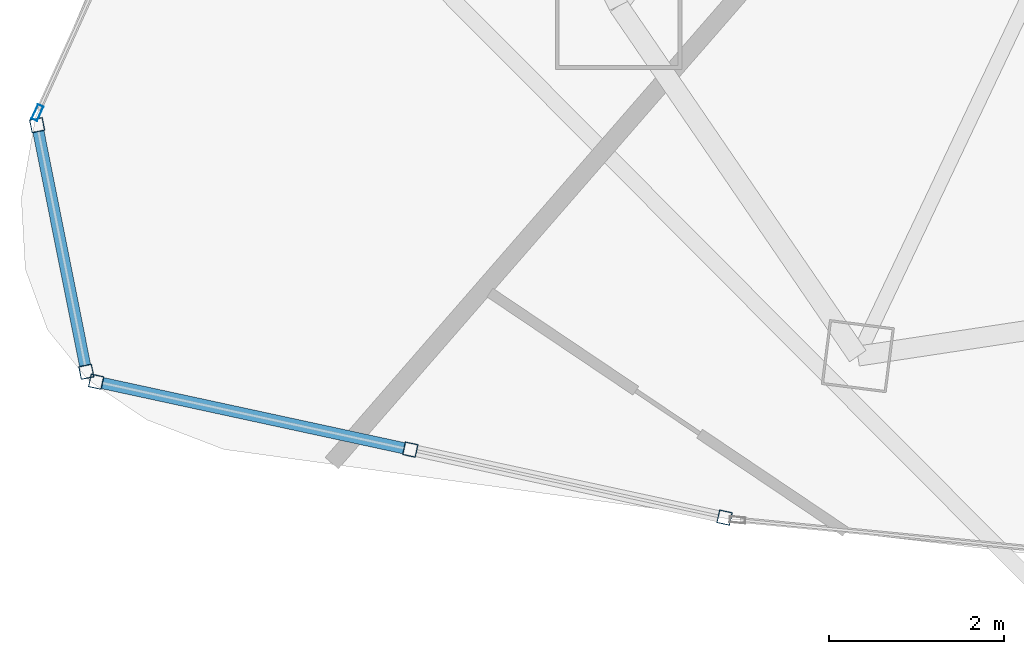
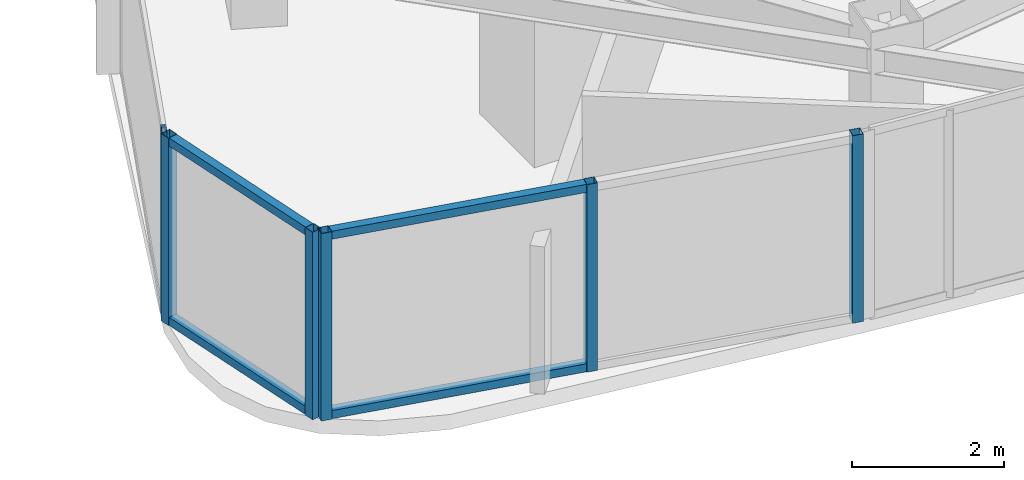
# One storey, part 2 of 30: 10 members, 3 elements without a shape of their own.
"""IFC4 building model written with IfcOpenShell, lengths in metres."""

from ifc_helpers import new_model, si_unit, direction, frame, origin, origin_2d, place, context, subcontext, project, spatial, hollow_rectangle, extrude, material, layer, layer_set, material_profile, profile_set, type_object, element, aggregate, save


model = new_model("IFC4")

# Units and contexts
model_context = context("Model", 3, precision=1e-05, world=origin(), true_north=direction((0.0, 1.0)))
body_context = subcontext(model_context, "Body", "Model", "MODEL_VIEW")
ifc_project = project(units=[si_unit("LENGTHUNIT", "METRE"), si_unit("AREAUNIT", "SQUARE_METRE"), si_unit("VOLUMEUNIT", "CUBIC_METRE"), si_unit("PLANEANGLEUNIT", "RADIAN"), si_unit("MASSUNIT", "GRAM", prefix="KILO")], contexts=[model_context])

# Site, building, storey
site_placement = place(None, origin())
site = spatial("IfcSite", under=ifc_project, at=site_placement, CompositionType="ELEMENT")
building_placement = place(site_placement, origin())
building = spatial("IfcBuilding", under=site, at=building_placement, Name="Orvanel Arch Residences", CompositionType="ELEMENT")
storey_placement = place(building_placement, frame((0.0, 0.0, 143.0)))
storey = spatial("IfcBuildingStorey", under=building, at=storey_placement, Name="L40", CompositionType="ELEMENT", Elevation=143.0)

# Curtain wall, members
ifc_material = material(Name="Bronze-anodised aluminium AA6063-T6", Category="aluminium")
ifc_layer_1 = layer(ifc_material, 0.18994140625)
ifc_layer_set_1 = layer_set([ifc_layer_1], Name="Bronze-anodised aluminium AA6063-T6")
curtain_wall_type_1 = type_object("IfcCurtainWallType", Name="CW5-CRN-SYS", PredefinedType="NOTDEFINED", material=ifc_layer_set_1)
curtain_wall_1_placement = place(storey_placement, origin())
curtain_wall_1 = element("IfcCurtainWall", 1, at=curtain_wall_1_placement, inside=storey, type_object=curtain_wall_type_1, Name="L40 CW5-CRN-SYS Unitised Curtain Wall", PredefinedType="NOTDEFINED")
ifc_material_profile_1 = material_profile(ifc_material, hollow_rectangle(XDim=0.14990234375, YDim=0.14990234375, WallThickness=0.0048828125, at=origin_2d()), Name="ALU150x150x5")
ifc_profile_set_1 = profile_set([ifc_material_profile_1], Name="Bronze-anodised aluminium AA6063-T6")
member_type_1 = type_object("IfcMemberType", Name="MUL-150x150", PredefinedType="MULLION", material=ifc_profile_set_1)
member_1_placement = place(storey_placement, frame((7.53759765625, 8.9853515625, 0.0), z_axis=(0.0, 0.0, 1.0), x_axis=(0.980682040612, 0.195608627675, 0.0)))
member_1 = element("IfcMember", 2, at=member_1_placement, type_object=member_type_1, Name="CW-S5 mullion 1", PredefinedType="MULLION", context=body_context, shape_type="SweptSolid", body=[
    extrude(hollow_rectangle(XDim=0.14990234375, YDim=0.14990234375, WallThickness=0.0048828125, at=origin_2d()), origin(), (0.0, 0.0, 1.0), 3.02001953125),
])
member_2_placement = place(storey_placement, frame((8.101318359375, 6.15966796875, 0.0), z_axis=(0.0, 0.0, 1.0), x_axis=(0.980682040612, 0.195608627675, 0.0)))
member_2 = element("IfcMember", 3, at=member_2_placement, type_object=member_type_1, Name="CW-S5 mullion 2", PredefinedType="MULLION", context=body_context, shape_type="SweptSolid", body=[
    extrude(hollow_rectangle(XDim=0.14990234375, YDim=0.14990234375, WallThickness=0.0048828125, at=origin_2d()), origin(), (0.0, 0.0, 1.0), 3.02001953125),
])

curtain_wall_2_placement = place(storey_placement, origin())
curtain_wall_2 = element("IfcCurtainWall", 4, at=curtain_wall_2_placement, inside=storey, type_object=curtain_wall_type_1, Name="L40 CW5-CRN-SYS Unitised Curtain Wall", PredefinedType="NOTDEFINED")
member_3_placement = place(storey_placement, frame((8.21337890625, 6.046142578125, 0.0), z_axis=(0.0, 0.0, 1.0), x_axis=(0.211391186041, 0.977401537989, 0.0)))
member_3 = element("IfcMember", 5, at=member_3_placement, type_object=member_type_1, Name="CW-S5 mullion 1", PredefinedType="MULLION", context=body_context, shape_type="SweptSolid", body=[
    extrude(hollow_rectangle(XDim=0.14990234375, YDim=0.14990234375, WallThickness=0.0048828125, at=origin_2d()), origin(), (0.0, 0.0, 1.0), 3.02001953125),
])
member_4_placement = place(storey_placement, frame((11.8134765625, 5.267578125, 0.0), z_axis=(0.0, 0.0, 1.0), x_axis=(0.211391186041, 0.977401537989, 0.0)))
member_4 = element("IfcMember", 6, at=member_4_placement, type_object=member_type_1, Name="CW-S5 mullion 2", PredefinedType="MULLION", context=body_context, shape_type="SweptSolid", body=[
    extrude(hollow_rectangle(XDim=0.14990234375, YDim=0.14990234375, WallThickness=0.0048828125, at=origin_2d()), origin(), (0.0, 0.0, 1.0), 3.02001953125),
])
member_5_placement = place(storey_placement, frame((15.41357421875, 4.48876953125, 0.0), z_axis=(0.0, 0.0, 1.0), x_axis=(0.211391186041, 0.977401537989, 0.0)))
member_5 = element("IfcMember", 7, at=member_5_placement, type_object=member_type_1, Name="CW-S5 mullion 3", PredefinedType="MULLION", context=body_context, shape_type="SweptSolid", body=[
    extrude(hollow_rectangle(XDim=0.14990234375, YDim=0.14990234375, WallThickness=0.0048828125, at=origin_2d()), origin(), (0.0, 0.0, 1.0), 3.02001953125),
])

# Curtain wall, member
ifc_layer_2 = layer(ifc_material, 0.179931640625)
ifc_layer_set_2 = layer_set([ifc_layer_2], Name="Bronze-anodised aluminium AA6063-T6")
curtain_wall_type_2 = type_object("IfcCurtainWallType", Name="CW3-MID-SYS", PredefinedType="NOTDEFINED", material=ifc_layer_set_2)
curtain_wall_3_placement = place(storey_placement, origin())
curtain_wall_3 = element("IfcCurtainWall", 8, at=curtain_wall_3_placement, inside=storey, type_object=curtain_wall_type_2, Name="L40 CW3-MID-SYS Unitised Curtain Wall", PredefinedType="NOTDEFINED")
ifc_material_profile_2 = material_profile(ifc_material, hollow_rectangle(XDim=0.070068359375, YDim=0.179931640625, WallThickness=0.00439453125, at=origin_2d()), Name="ALU180x70x4.5")
ifc_profile_set_2 = profile_set([ifc_material_profile_2], Name="Bronze-anodised aluminium AA6063-T6")
member_type_2 = type_object("IfcMemberType", Name="MUL-180x70", PredefinedType="MULLION", material=ifc_profile_set_2)
member_6_placement = place(storey_placement, frame((7.54150390625, 9.12890625, 0.0), z_axis=(0.0, 0.0, 1.0), x_axis=(0.910449142842, -0.413621032225, 0.0)))
member_6 = element("IfcMember", 9, at=member_6_placement, type_object=member_type_2, Name="CW-S3 mullion 4", PredefinedType="MULLION", context=body_context, shape_type="SweptSolid", body=[
    extrude(hollow_rectangle(XDim=0.070068359375, YDim=0.179931640625, WallThickness=0.00439453125, at=origin_2d()), origin(), (0.0, 0.0, 1.0), 3.02001953125),
])
aggregate(curtain_wall_3, [member_6])

# Member
ifc_material_profile_3 = material_profile(ifc_material, hollow_rectangle(XDim=0.1298828125, YDim=0.1298828125, WallThickness=0.00439453125, at=origin_2d()), Name="ALU130x130x4.5")
ifc_profile_set_3 = profile_set([ifc_material_profile_3], Name="Bronze-anodised aluminium AA6063-T6")
member_type_3 = type_object("IfcMemberType", Name="TRN-130x130", PredefinedType="USERDEFINED", material=ifc_profile_set_3)
member_7_placement = place(storey_placement, frame((7.55224609375, 8.911865234375, 0.06494140625), z_axis=(0.195652026594, -0.980673383186, 0.0), x_axis=(0.980673383186, 0.195652026594, 0.0)))
member_7 = element("IfcMember", 10, at=member_7_placement, type_object=member_type_3, Name="CW-S5 transom 1.1", ObjectType="TRANSOM", PredefinedType="USERDEFINED", context=body_context, shape_type="SweptSolid", body=[
    extrude(hollow_rectangle(XDim=0.1298828125, YDim=0.1298828125, WallThickness=0.00439453125, at=origin_2d()), origin(), (0.0, 0.0, 1.0), 2.7314453125),
])

member_8_placement = place(storey_placement, frame((7.55224609375, 8.911865234375, 2.955078125), z_axis=(0.195652026594, -0.980673383186, 0.0), x_axis=(0.980673383186, 0.195652026594, 0.0)))
member_8 = element("IfcMember", 11, at=member_8_placement, type_object=member_type_3, Name="CW-S5 transom 1.2", ObjectType="TRANSOM", PredefinedType="USERDEFINED", context=body_context, shape_type="SweptSolid", body=[
    extrude(hollow_rectangle(XDim=0.1298828125, YDim=0.1298828125, WallThickness=0.00439453125, at=origin_2d()), origin(), (0.0, 0.0, 1.0), 2.7314453125),
])

aggregate(curtain_wall_1, [member_1, member_2, member_7, member_8])

member_9_placement = place(storey_placement, frame((8.28662109375, 6.0302734375, 0.06494140625), z_axis=(0.977408379086, -0.211359552639, 0.0), x_axis=(0.211359552639, 0.977408379086, 0.0)))
member_9 = element("IfcMember", 12, at=member_9_placement, type_object=member_type_3, Name="CW-S5 transom 1.1", ObjectType="TRANSOM", PredefinedType="USERDEFINED", context=body_context, shape_type="SweptSolid", body=[
    extrude(hollow_rectangle(XDim=0.1298828125, YDim=0.1298828125, WallThickness=0.00439453125, at=origin_2d()), origin(), (0.0, 0.0, 1.0), 3.533447265625),
])

member_10_placement = place(storey_placement, frame((8.28662109375, 6.0302734375, 2.955078125), z_axis=(0.977408379086, -0.211359552639, 0.0), x_axis=(0.211359552639, 0.977408379086, 0.0)))
member_10 = element("IfcMember", 13, at=member_10_placement, type_object=member_type_3, Name="CW-S5 transom 1.2", ObjectType="TRANSOM", PredefinedType="USERDEFINED", context=body_context, shape_type="SweptSolid", body=[
    extrude(hollow_rectangle(XDim=0.1298828125, YDim=0.1298828125, WallThickness=0.00439453125, at=origin_2d()), origin(), (0.0, 0.0, 1.0), 3.533447265625),
])

aggregate(curtain_wall_2, [member_3, member_4, member_5, member_9, member_10])

save(model, "model.ifc")
